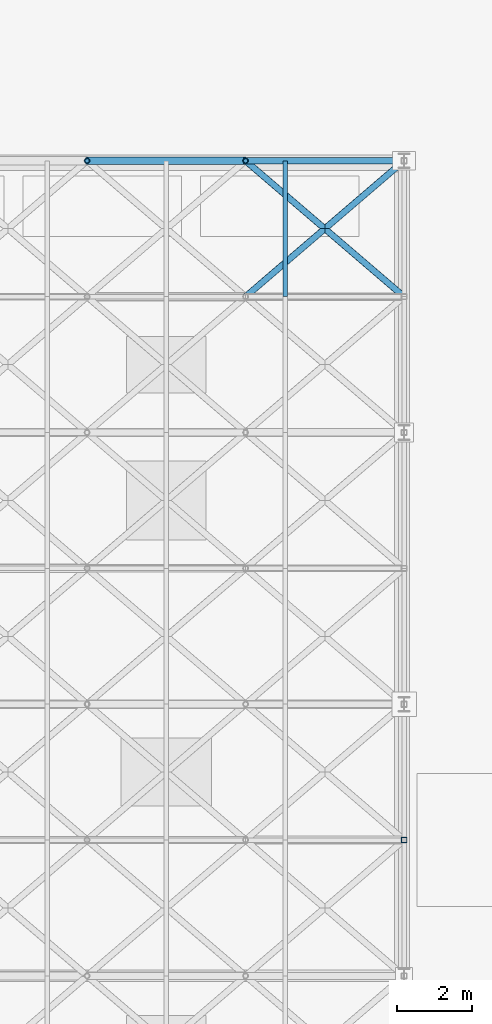
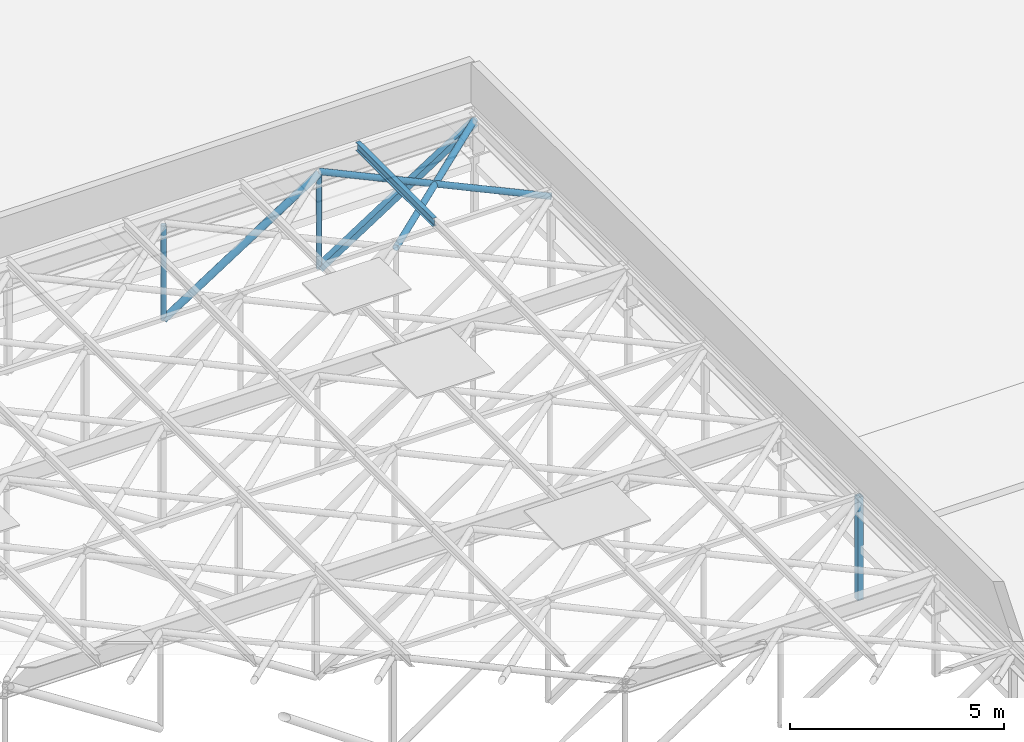
# One storey, part 26 of 45: 8 members.
"""IFC4 building model written with IfcOpenShell, lengths in metres."""

import ifcopenshell
import ifcopenshell.guid

model = None  # the IFC model being written
_history = None  # IfcOwnerHistory: only IFC2X3 demands one
_inside = {}  # id of a spatial element -> (the spatial element, [elements in it])
_under = {}  # id of a project, library or spatial element -> (it, [spatial elements below it])
_declared = {}  # id of a project -> (the project, [libraries it declares])
_typed = {}  # id of a type object -> (the type object, [elements of that type])
_made_of = {}  # id of a material, layer set ... -> (it, [elements and type objects made of it])


def new_model(schema):
    """Start an empty IFC model of exactly this schema.

    Asked for "IFC4X3", IfcOpenShell would pick the latest addendum, in which some entities
    have other attributes; the version numbers below select the first issue.
    IFC2X3 requires an IfcOwnerHistory on every rooted entity: one is made here for all.
    """
    global model, _history
    if schema == "IFC4X3":
        model = ifcopenshell.file(schema_version=(4, 3, 0, 0))
    else:
        model = ifcopenshell.file(schema=schema)
    _inside.clear()
    _under.clear()
    _declared.clear()
    _typed.clear()
    _made_of.clear()
    _history = None
    if model.schema == "IFC2X3":
        org = make("IfcOrganization", Name="unknown")
        user = make(
            "IfcPersonAndOrganization",
            ThePerson=make("IfcPerson", FamilyName="unknown"),
            TheOrganization=org,
        )
        app = make(
            "IfcApplication",
            ApplicationDeveloper=org,
            Version="unknown",
            ApplicationFullName="unknown",
            ApplicationIdentifier="unknown",
        )
        _history = make(
            "IfcOwnerHistory",
            OwningUser=user,
            OwningApplication=app,
            ChangeAction="ADDED",
            CreationDate=0,
        )
    return model


def make(cls, **values):
    """One entity of the class cls with the attributes given. An attribute that is None is left unset."""
    return model.create_entity(
        cls, **{name: value for name, value in values.items() if value is not None}
    )


def rooted(cls, **values):
    """An entity with a GlobalId (a new one), such as an element, a storey or a relation."""
    return make(cls, GlobalId=ifcopenshell.guid.new(), OwnerHistory=_history, **values)


def si_unit(unit_type, name, prefix=None):
    """IfcSIUnit, for example si_unit("LENGTHUNIT", "METRE", prefix="MILLI")."""
    return make("IfcSIUnit", UnitType=unit_type, Prefix=prefix, Name=name)


def derived_unit(unit_type, elements):
    """IfcDerivedUnit: a product of units, each with its exponent."""
    return make(
        "IfcDerivedUnit",
        Elements=[
            make("IfcDerivedUnitElement", Unit=unit, Exponent=power)
            for unit, power in elements
        ],
        UnitType=unit_type,
    )


def assignment(units):
    """IfcUnitAssignment: the units of a project."""
    return None if units is None else make("IfcUnitAssignment", Units=units)


def point(xyz):
    """IfcCartesianPoint."""
    return None if xyz is None else make("IfcCartesianPoint", Coordinates=xyz)


def direction(xyz):
    """IfcDirection."""
    return None if xyz is None else make("IfcDirection", DirectionRatios=xyz)


def frame(location, z_axis=None, x_axis=None):
    """IfcAxis2Placement3D, a coordinate frame: its origin and axes. An axis left out is left unset."""
    return make(
        "IfcAxis2Placement3D",
        Location=point(location),
        Axis=direction(z_axis),
        RefDirection=direction(x_axis),
    )


def frame_2d(location, x_axis=None):
    """IfcAxis2Placement2D, a coordinate frame in the plane: its origin and x axis."""
    return make(
        "IfcAxis2Placement2D", Location=point(location), RefDirection=direction(x_axis)
    )


def origin():
    """The frame at (0, 0, 0) with its axes left unset."""
    return frame((0.0, 0.0, 0.0))


def origin_2d():
    """The frame at (0, 0) in the plane with its x axis left unset."""
    return frame_2d((0.0, 0.0))


def place(relative_to, where):
    """IfcLocalPlacement: puts the frame where relative to a parent placement (None: the world)."""
    return make(
        "IfcLocalPlacement", PlacementRelTo=relative_to, RelativePlacement=where
    )


def context(
    kind, dimensions, precision=None, world=None, true_north=None, identifier=None
):
    """IfcGeometricRepresentationContext, for example the 3D "Model" context."""
    return make(
        "IfcGeometricRepresentationContext",
        ContextIdentifier=identifier,
        ContextType=kind,
        CoordinateSpaceDimension=dimensions,
        Precision=precision,
        WorldCoordinateSystem=world,
        TrueNorth=true_north,
    )


def subcontext(parent, identifier, kind, view, scale=None):
    """IfcGeometricRepresentationSubContext, for example "Body" below "Model"."""
    return make(
        "IfcGeometricRepresentationSubContext",
        ContextIdentifier=identifier,
        ContextType=kind,
        ParentContext=parent,
        TargetScale=scale,
        TargetView=view,
    )


def project(units=None, contexts=None):
    """IfcProject with its units and contexts."""
    return rooted(
        "IfcProject",
        Name="project",
        RepresentationContexts=contexts,
        UnitsInContext=assignment(units),
    )


def spatial(cls, under=None, at=None, **own):
    """A site, building, storey or space (cls), placed at a placement, below another one or the project."""
    s = rooted(cls, ObjectPlacement=at, **own)
    if under is not None:
        _under.setdefault(under.id(), (under, []))[1].append(s)
    return s


def profile(cls, at=None, kind="AREA", **sizes):
    """A parametric profile (cls). Its sizes go by their IFC names, for example OverallWidth=200.0."""
    return make(cls, ProfileType=kind, Position=at, **sizes)


def hollow_rectangle(**sizes):
    """IfcRectangleHollowProfileDef."""
    return profile("IfcRectangleHollowProfileDef", **sizes)


def hollow_circle(**sizes):
    """IfcCircleHollowProfileDef."""
    return profile("IfcCircleHollowProfileDef", **sizes)


def i_section(**sizes):
    """IfcIShapeProfileDef."""
    return profile("IfcIShapeProfileDef", **sizes)


def extrude(swept, where, along, depth):
    """IfcExtrudedAreaSolid: the profile swept, set in the frame where, extruded along a direction by depth."""
    return make(
        "IfcExtrudedAreaSolid",
        SweptArea=swept,
        Position=where,
        ExtrudedDirection=direction(along),
        Depth=depth,
    )


def shape(context_of_items, identifier, shape_type, items):
    """IfcShapeRepresentation: the items that make up one representation, for example the "Body"."""
    return make(
        "IfcShapeRepresentation",
        ContextOfItems=context_of_items,
        RepresentationIdentifier=identifier,
        RepresentationType=shape_type,
        Items=items,
    )


def material(Name=None, Category=None):
    """IfcMaterial."""
    return make("IfcMaterial", Name=Name, Category=Category)


def material_profile(
    of_material, cross_section, Name=None, Category=None, Priority=None
):
    """IfcMaterialProfile: a cross section and its material."""
    return make(
        "IfcMaterialProfile",
        Name=Name,
        Material=of_material,
        Profile=cross_section,
        Priority=Priority,
        Category=Category,
    )


def profile_set(profiles, Name=None, composite=None):
    """IfcMaterialProfileSet."""
    return make(
        "IfcMaterialProfileSet",
        Name=Name,
        MaterialProfiles=profiles,
        CompositeProfile=composite,
    )


def made_of(thing, what):
    """Note that an element or type object is made of a material, layer set ...; save() writes the relation."""
    if what is not None:
        _made_of.setdefault(what.id(), (what, []))[1].append(thing)
    return thing


def type_object(cls, material=None, **own):
    """A type object (cls), such as IfcWallType, which elements share."""
    return made_of(rooted(cls, **own), material)


def element(
    cls,
    number,
    at=None,
    inside=None,
    cuts=None,
    type_object=None,
    material=None,
    context=None,
    identifier="Body",
    shape_type=None,
    held_by="IfcProductDefinitionShape",
    body=None,
    shapes=None,
    **own,
):
    """One element of the class cls, such as IfcWall. Its Tag is "e" and its number.

    at: its placement. inside: the storey or other place that contains it. cuts: it is an
    opening in that element (IfcRelVoidsElement). A single representation is given by context,
    identifier, shape_type and body (its items); several are given by shapes. held_by: the class
    of the entity that holds the representations. save() writes the other relations.
    """
    e = rooted(cls, Tag="e%d" % number, ObjectPlacement=at, **own)
    if body is not None:
        shapes = [shape(context, identifier, shape_type, body)]
    if shapes is not None:
        e.Representation = make(held_by, Representations=shapes)
    if inside is not None:
        _inside.setdefault(inside.id(), (inside, []))[1].append(e)
    if cuts is not None:
        rooted(
            "IfcRelVoidsElement", RelatingBuildingElement=cuts, RelatedOpeningElement=e
        )
    if type_object is not None:
        _typed.setdefault(type_object.id(), (type_object, []))[1].append(e)
    return made_of(e, material)


def aggregate(whole, parts):
    """IfcRelAggregates: a whole, such as a stair, and the parts it consists of."""
    return rooted("IfcRelAggregates", RelatingObject=whole, RelatedObjects=parts)


def save(model, path):
    """Write the relations noted so far, then the file.

    IfcRelAggregates (storeys below a building ...), IfcRelContainedInSpatialStructure (elements
    in a storey), IfcRelDefinesByType, IfcRelAssociatesMaterial and IfcRelDeclares: one each for
    every whole, place, type object, material and project.
    """
    for whole, parts in _under.values():
        aggregate(whole, parts)
    for where, things in _inside.values():
        rooted(
            "IfcRelContainedInSpatialStructure",
            RelatedElements=things,
            RelatingStructure=where,
        )
    for kind, things in _typed.values():
        rooted("IfcRelDefinesByType", RelatedObjects=things, RelatingType=kind)
    for what, things in _made_of.values():
        rooted("IfcRelAssociatesMaterial", RelatedObjects=things, RelatingMaterial=what)
    for by, libraries in _declared.values():
        rooted("IfcRelDeclares", RelatingContext=by, RelatedDefinitions=libraries)
    model.write(path)


model = new_model("IFC4")

# Units and contexts
model_context = context("Model", 3, precision=1e-05, world=origin(), true_north=direction((0.0, 1.0)))
body_context = subcontext(model_context, "Body", "Model", "MODEL_VIEW")
ifc_project = project(units=[si_unit("LENGTHUNIT", "METRE"), si_unit("AREAUNIT", "SQUARE_METRE"), si_unit("VOLUMEUNIT", "CUBIC_METRE"), si_unit("PLANEANGLEUNIT", "RADIAN"), si_unit("MASSUNIT", "GRAM", prefix="KILO"), derived_unit("THERMALTRANSMITTANCEUNIT", [(si_unit("MASSUNIT", "GRAM", prefix="KILO"), 1), (si_unit("TIMEUNIT", "SECOND"), -3), (si_unit("THERMODYNAMICTEMPERATUREUNIT", "KELVIN"), -1)])], contexts=[model_context])

# Site, building, storey
site_placement = place(None, origin())
site = spatial("IfcSite", under=ifc_project, at=site_placement, CompositionType="ELEMENT")
building_placement = place(site_placement, origin())
building = spatial("IfcBuilding", under=site, at=building_placement, Name="Veldstrom Oceanarium and Marine Research Institute", CompositionType="ELEMENT")
storey_placement = place(building_placement, frame((0.0, 0.0, 22.199951171875)))
storey = spatial("IfcBuildingStorey", under=building, at=storey_placement, Name="L04", CompositionType="ELEMENT", Elevation=22.199951171875)

# Members
ifc_material_1 = material(Name="Steel S355JR", Category="steel")
ifc_material_profile_1 = material_profile(ifc_material_1, hollow_circle(Radius=0.096923828125, WallThickness=0.010009765625, at=origin_2d()), Name="CHS 193.7x10")
ifc_profile_set_1 = profile_set([ifc_material_profile_1], Name="Steel S355JR")
member_type_1 = type_object("IfcMemberType", Name="STR-MEM-BR2", PredefinedType="BRACE", material=ifc_profile_set_1)
member_1_placement = place(storey_placement, frame((33.60009765625, 57.60009765625, -1.89990234375), z_axis=(0.840267936235, 0.0, 0.542171370819), x_axis=(0.0, 1.0, 0.0)))
element("IfcMember", 1, at=member_1_placement, inside=storey, type_object=member_type_1, Name="Truss Web Diagonal RT13-5", PredefinedType="BRACE", context=body_context, shape_type="SweptSolid", body=[
    extrude(hollow_circle(Radius=0.096923828125, WallThickness=0.010009765625, at=origin_2d()), origin(), (0.0, 0.0, 1.0), 4.998291015625),
])
ifc_material_2 = material(Name="Steel S355JR", Category="steel")
ifc_material_profile_2 = material_profile(ifc_material_2, hollow_circle(Radius=0.084228515625, WallThickness=0.008056640625, at=origin_2d()), Name="CHS 168.3x8")
ifc_profile_set_2 = profile_set([ifc_material_profile_2], Name="Steel S355JR")
member_type_2 = type_object("IfcMemberType", Name="STR-MEM-BR3", PredefinedType="BRACE", material=ifc_profile_set_2)
for number, where, z_axis, x_axis, name in (
    (2, (37.800048828125, 54.0, 0.860107421875), (0.759244140748, 0.650805911728, 0.0), (-0.650805911728, 0.759244140748, 0.0), "Roof Plan Wind Brace WB-12-6"),
    (3, (42.0, 54.0, 0.860107421875), (-0.759244140748, 0.650805911728, 0.0), (-0.650805911728, -0.759244140748, 0.0), "Roof Plan Counter Wind Brace WB-12-6B"),
):
    element("IfcMember", number, at=place(storey_placement, frame(where, z_axis=z_axis, x_axis=x_axis)), inside=storey, type_object=member_type_2, Name=name, PredefinedType="BRACE", context=body_context, shape_type="SweptSolid", body=[
        extrude(hollow_circle(Radius=0.084228515625, WallThickness=0.008056640625, at=origin_2d()), origin(), (0.0, 0.0, 1.0), 5.53173828125),
    ])
ifc_material_3 = material(Name="Steel S355JR", Category="steel")
ifc_material_profile_3 = material_profile(ifc_material_3, hollow_rectangle(XDim=0.179931640625, YDim=0.179931640625, WallThickness=0.010009765625, at=origin_2d()), Name="SHS 180x180x10")
ifc_profile_set_3 = profile_set([ifc_material_profile_3], Name="Steel S355JR")
member_type_3 = type_object("IfcMemberType", Name="STR-MEM-BR4", PredefinedType="BRACE", material=ifc_profile_set_3)
member_2_placement = place(storey_placement, frame((37.800048828125, 57.60009765625, -1.89990234375), z_axis=(0.840267936235, 0.0, 0.542171370819), x_axis=(0.0, 1.0, 0.0)))
element("IfcMember", 4, at=member_2_placement, inside=storey, type_object=member_type_3, Name="Truss Web Diagonal RT13-6", PredefinedType="BRACE", context=body_context, shape_type="SweptSolid", body=[
    extrude(hollow_rectangle(XDim=0.179931640625, YDim=0.179931640625, WallThickness=0.010009765625, at=origin_2d()), origin(), (0.0, 0.0, 1.0), 4.998291015625),
])
ifc_material_4 = material(Name="Steel S355JR", Category="steel")
ifc_material_profile_4 = material_profile(ifc_material_4, i_section(OverallWidth=0.1201171875, OverallDepth=0.239990234375, WebThickness=0.006103515625, FlangeThickness=0.009765625, FilletRadius=0.014892578125, at=origin_2d()), Name="IPE 240")
ifc_profile_set_4 = profile_set([ifc_material_profile_4], Name="Steel S355JR")
member_type_4 = type_object("IfcMemberType", Name="STR-MEM-PR1", PredefinedType="PURLIN", material=ifc_profile_set_4)
member_3_placement = place(storey_placement, frame((38.85009765625, 54.0, 1.22998046875), z_axis=(0.0, 1.0, 0.0), x_axis=(-1.0, 0.0, 0.0)))
element("IfcMember", 5, at=member_3_placement, inside=storey, type_object=member_type_4, Name="Hall Roof Purlin PR-13-8", PredefinedType="PURLIN", context=body_context, shape_type="SweptSolid", body=[
    extrude(i_section(OverallWidth=0.1201171875, OverallDepth=0.239990234375, WebThickness=0.006103515625, FlangeThickness=0.009765625, FilletRadius=0.014892578125, at=origin_2d()), origin(), (0.0, 0.0, 1.0), 3.60009765625),
])
ifc_material_5 = material(Name="Steel S355JR", Category="steel")
ifc_material_profile_5 = material_profile(ifc_material_5, hollow_rectangle(XDim=0.14990234375, YDim=0.14990234375, WallThickness=0.010009765625, at=origin_2d()), Name="SHS 150x150x10")
ifc_profile_set_5 = profile_set([ifc_material_profile_5], Name="Steel S355JR")
member_type_5 = type_object("IfcMemberType", Name="STR-MEM-PS1", PredefinedType="POST", material=ifc_profile_set_5)
member_4_placement = place(storey_placement, frame((42.0, 39.60009765625, -1.89990234375), z_axis=(0.0, 0.0, 1.0), x_axis=(1.0, 0.0, 0.0)))
element("IfcMember", 6, at=member_4_placement, inside=storey, type_object=member_type_5, Name="Truss Vertical Post RT08-7", PredefinedType="POST", context=body_context, shape_type="SweptSolid", body=[
    extrude(hollow_rectangle(XDim=0.14990234375, YDim=0.14990234375, WallThickness=0.010009765625, at=origin_2d()), origin(), (0.0, 0.0, 1.0), 2.949951171875),
])
ifc_material_6 = material(Name="Steel S355JR", Category="steel")
ifc_material_profile_6 = material_profile(ifc_material_6, hollow_circle(Radius=0.06982421875, WallThickness=0.008056640625, at=origin_2d()), Name="CHS 139.7x8")
ifc_profile_set_6 = profile_set([ifc_material_profile_6], Name="Steel S355JR")
member_type_6 = type_object("IfcMemberType", Name="STR-MEM-PS2", PredefinedType="POST", material=ifc_profile_set_6)
for number, where, z_axis, x_axis, name in (
    (7, (33.60009765625, 57.60009765625, -1.89990234375), (0.0, 0.0, 1.0), (1.0, 0.0, 0.0), "Truss Vertical Post RT13-5"),
    (8, (37.800048828125, 57.60009765625, -1.89990234375), (0.0, 0.0, 1.0), (1.0, 0.0, 0.0), "Truss Vertical Post RT13-6"),
):
    element("IfcMember", number, at=place(storey_placement, frame(where, z_axis=z_axis, x_axis=x_axis)), inside=storey, type_object=member_type_6, Name=name, PredefinedType="POST", context=body_context, shape_type="SweptSolid", body=[
        extrude(hollow_circle(Radius=0.06982421875, WallThickness=0.008056640625, at=origin_2d()), origin(), (0.0, 0.0, 1.0), 2.7099609375),
    ])

save(model, "model.ifc")
